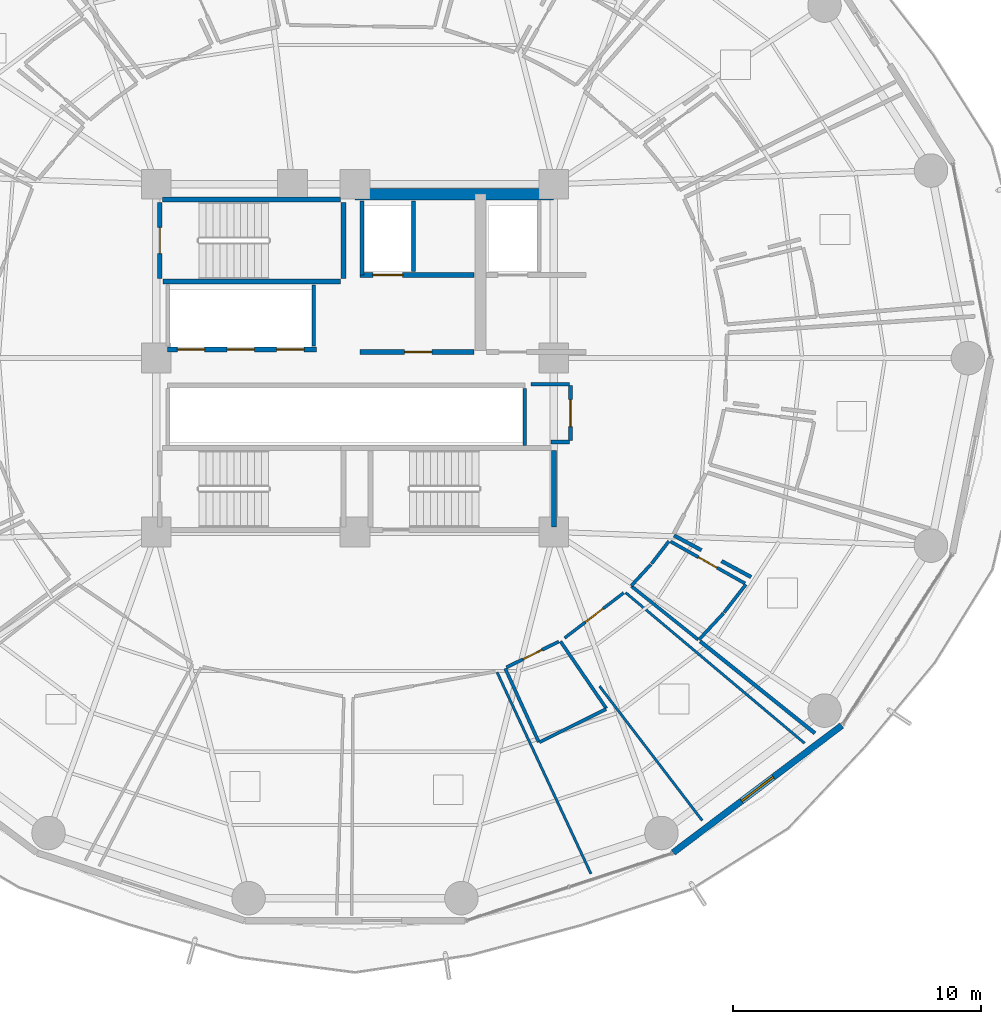
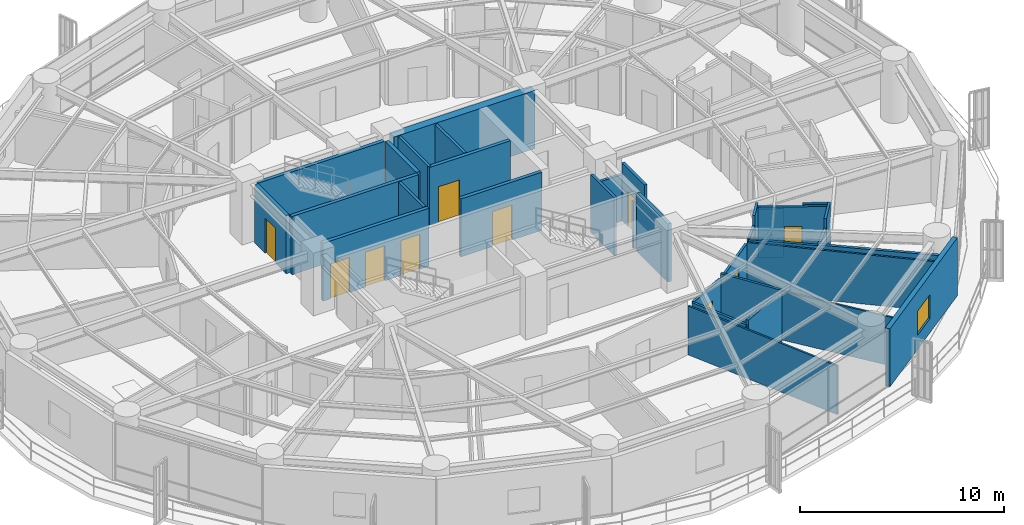
# One storey, part 30 of 38: 34 walls, 10 doors, 1 window, 11 openings.
"""IFC4 building model written with IfcOpenShell, lengths in metres."""

from ifc_helpers import new_model, si_unit, direction, frame, frame_2d, origin, place, context, subcontext, project, spatial, rectangle, extrude, material, layer, layer_set, type_object, element, fill, save


model = new_model("IFC4")

# Units and contexts
model_context = context("Model", 3, precision=1e-05, world=origin(), true_north=direction((0.0, 1.0)))
body_context = subcontext(model_context, "Body", "Model", "MODEL_VIEW")
ifc_project = project(units=[si_unit("LENGTHUNIT", "METRE"), si_unit("AREAUNIT", "SQUARE_METRE"), si_unit("VOLUMEUNIT", "CUBIC_METRE"), si_unit("PLANEANGLEUNIT", "RADIAN"), si_unit("MASSUNIT", "GRAM", prefix="KILO")], contexts=[model_context])

# Site, building, storey
site_placement = place(None, origin())
site = spatial("IfcSite", under=ifc_project, at=site_placement, CompositionType="ELEMENT")
building_placement = place(site_placement, origin())
building = spatial("IfcBuilding", under=site, at=building_placement, Name="Kelanora Arch Commons", CompositionType="ELEMENT")
storey_placement = place(building_placement, frame((0.0, 0.0, 106.35009765625)))
storey = spatial("IfcBuildingStorey", under=building, at=storey_placement, Name="L27", CompositionType="ELEMENT", Elevation=106.35009765625)

# Walls
ifc_material_1 = material(Name="Autoclaved aerated concrete blockwork with fire plaster", Category="masonry")
ifc_layer_1 = layer(ifc_material_1, 0.14990234375)
ifc_layer_set_1 = layer_set([ifc_layer_1], Name="Autoclaved aerated concrete blockwork with fire plaster")
wall_type_1 = type_object("IfcWallType", Name="W-COMP-150", PredefinedType="PARTITIONING", material=ifc_layer_set_1)
wall_1_placement = place(storey_placement, frame((74.280029296875, 61.35009765625, 0.0), z_axis=(0.0, 0.0, 1.0), x_axis=(0.0, 1.0, 0.0)))
element("IfcWall", 1, at=wall_1_placement, inside=storey, type_object=wall_type_1, Name="Firefighting Lift 1 West Shaft Wall L27", PredefinedType="PARTITIONING", context=body_context, shape_type="SweptSolid", body=[
    extrude(rectangle(XDim=2.969970703125, YDim=0.14990234375, at=frame_2d((1.48486328125, 0.0))), origin(), (0.0, 0.0, 1.0), 3.47998046875),
])
wall_2_placement = place(storey_placement, frame((76.360107421875, 61.47998046875, 0.0), z_axis=(0.0, 0.0, 1.0), x_axis=(0.0, 1.0, 0.0)))
element("IfcWall", 2, at=wall_2_placement, inside=storey, type_object=wall_type_1, Name="Firefighting Lift 1 East Shaft Wall L27", PredefinedType="PARTITIONING", context=body_context, shape_type="SweptSolid", body=[
    extrude(rectangle(XDim=2.840087890625, YDim=0.14990234375, at=frame_2d((1.419921875, 0.0))), origin(), (0.0, 0.0, 1.0), 3.47998046875),
])
wall_3_placement = place(storey_placement, frame((72.340087890625, 58.47998046875, 0.0), z_axis=(0.0, 0.0, 1.0), x_axis=(0.0, 1.0, 0.0)))
element("IfcWall", 3, at=wall_3_placement, inside=storey, type_object=wall_type_1, Name="Low-Rise Lift Bank East Wall L27", PredefinedType="PARTITIONING", context=body_context, shape_type="SweptSolid", body=[
    extrude(rectangle(XDim=2.4599609375, YDim=0.14990234375, at=frame_2d((1.22998046875, 0.0))), origin(), (0.0, 0.0, 1.0), 3.47998046875),
])
wall_4_placement = place(storey_placement, frame((80.840087890625, 54.47998046875, 0.0), z_axis=(0.0, 0.0, 1.0), x_axis=(0.0, 1.0, 0.0)))
element("IfcWall", 4, at=wall_4_placement, inside=storey, type_object=wall_type_1, Name="South Lift Bank East Wall L27", PredefinedType="PARTITIONING", context=body_context, shape_type="SweptSolid", body=[
    extrude(rectangle(XDim=2.2900390625, YDim=0.14990234375, at=frame_2d((1.14501953125, 0.0))), origin(), (0.0, 0.0, 1.0), 3.47998046875),
])

# Wall, opening, door
wall_5_placement = place(storey_placement, frame((82.679931640625, 54.679931640625, 0.0), z_axis=(0.0, 0.0, 1.0), x_axis=(0.0, 1.0, 0.0)))
wall_5 = element("IfcWall", 5, at=wall_5_placement, inside=storey, type_object=wall_type_1, Name="Core Housekeeping Store L27 Entry Partition", PredefinedType="PARTITIONING", context=body_context, shape_type="SweptSolid", body=[
    extrude(rectangle(XDim=2.2099609375, YDim=0.14990234375, at=frame_2d((1.10498046875, 0.0))), origin(), (0.0, 0.0, 1.0), 3.47998046875),
])
opening_1_placement = place(wall_5_placement, frame((0.56494140625, 0.0, 0.0)))
opening_1 = element("IfcOpeningElement", 6, at=opening_1_placement, cuts=wall_5, Name="Opening D-PLT1", PredefinedType="OPENING", context=body_context, shape_type="SweptSolid", body=[
    extrude(rectangle(XDim=1.080078125, YDim=2.10009765625, at=frame_2d((0.5400390625, 1.050048828125))), frame((0.0, 0.0849609375, 0.0), z_axis=(0.0, -1.0, 0.0), x_axis=(1.0, 0.0, 0.0)), (0.0, 0.0, 1.0), 0.169921875),
])
ifc_material_2 = material(Name="Galvanised steel plant and riser fire door", Category="steel")
door_type_1 = type_object("IfcDoorType", Name="D-PLT-110", OperationType="NOTDEFINED", PredefinedType="DOOR", material=ifc_material_2)
door_1_placement = place(opening_1_placement, origin())
door_1 = element("IfcDoor", 7, at=door_1_placement, inside=storey, type_object=door_type_1, Name="Core Housekeeping Store L27 Door", OperationType="SINGLE_SWING_LEFT", OverallHeight=2.10009765625, OverallWidth=1.080078125, PredefinedType="DOOR", context=body_context, shape_type="SweptSolid", body=[
    extrude(rectangle(XDim=1.080078125, YDim=2.10009765625, at=frame_2d((0.5400390625, 1.050048828125))), frame((0.0, 0.02490234375, 0.0), z_axis=(0.0, -1.0, 0.0), x_axis=(1.0, 0.0, 0.0)), (0.0, 0.0, 1.0), 0.050048828125),
])
fill(opening_1, door_1)

# Walls
wall_6_placement = place(storey_placement, frame((81.89990234375, 54.6201171875, 0.0), z_axis=(0.0, 0.0, 1.0), x_axis=(1.0, 0.0, 0.0)))
element("IfcWall", 8, at=wall_6_placement, inside=storey, type_object=wall_type_1, Name="Core Housekeeping Store L27 Enclosure Partition 1", PredefinedType="PARTITIONING", context=body_context, shape_type="SweptSolid", body=[
    extrude(rectangle(XDim=0.739990234375, YDim=0.14990234375, at=frame_2d((0.3701171875, 0.0))), origin(), (0.0, 0.0, 1.0), 2.77490234375),
])
wall_7_placement = place(storey_placement, frame((82.639892578125, 56.949951171875, 0.0), z_axis=(0.0, 0.0, 1.0), x_axis=(-1.0, 0.0, 0.0)))
element("IfcWall", 9, at=wall_7_placement, inside=storey, type_object=wall_type_1, Name="Core Housekeeping Store L27 Enclosure Partition 3", PredefinedType="PARTITIONING", context=body_context, shape_type="SweptSolid", body=[
    extrude(rectangle(XDim=1.5498046875, YDim=0.14990234375, at=frame_2d((0.77490234375, 0.0))), origin(), (0.0, 0.0, 1.0), 2.77490234375),
])
wall_8_placement = place(storey_placement, frame((92.518798828125, 42.89599609375, 0.0), z_axis=(0.0, 0.0, 1.0), x_axis=(-0.780422060226, 0.625253075093, 0.0)))
element("IfcWall", 10, at=wall_8_placement, inside=storey, type_object=wall_type_1, Name="Co-Living Studio L27-14 Enclosure Partition 5", PredefinedType="PARTITIONING", context=body_context, shape_type="SweptSolid", body=[
    extrude(rectangle(XDim=5.920654296875, YDim=0.14990234375, at=frame_2d((2.96044921875, 0.0))), origin(), (0.0, 0.0, 1.0), 2.974853515625),
])
wall_9_placement = place(storey_placement, frame((89.94873046875, 49.18505859375, 0.0), z_axis=(0.0, 0.0, 1.0), x_axis=(-0.879994582466, 0.474983720595, 0.0)))
element("IfcWall", 11, at=wall_9_placement, inside=storey, type_object=wall_type_1, Name="Co-Living Studio L27-14 Enclosure Partition 7", PredefinedType="PARTITIONING", context=body_context, shape_type="SweptSolid", body=[
    extrude(rectangle(XDim=1.350341796875, YDim=0.14990234375, at=frame_2d((0.67529296875, 0.0))), origin(), (0.0, 0.0, 1.0), 3.1748046875),
])
wall_10_placement = place(storey_placement, frame((87.95068359375, 50.263427734375, 0.0), z_axis=(0.0, 0.0, 1.0), x_axis=(-0.880026054437, 0.474925408367, 0.0)))
element("IfcWall", 12, at=wall_10_placement, inside=storey, type_object=wall_type_1, Name="Co-Living Studio L27-14 Enclosure Partition 7", PredefinedType="PARTITIONING", context=body_context, shape_type="SweptSolid", body=[
    extrude(rectangle(XDim=1.251708984375, YDim=0.14990234375, at=frame_2d((0.6259765625, 0.0))), origin(), (0.0, 0.0, 1.0), 2.9248046875),
])
ifc_material_3 = material(Name="Concrete C60/75", Category="concrete")
ifc_layer_2 = layer(ifc_material_3, 0.449951171875)
ifc_layer_set_2 = layer_set([ifc_layer_2], Name="Concrete C60/75")
wall_type_2 = type_object("IfcWallType", Name="W-CORE-450", PredefinedType="SHEAR", material=ifc_layer_set_2)
wall_11_placement = place(storey_placement, frame((74.0, 64.60009765625, 0.0), z_axis=(0.0, 0.0, 1.0), x_axis=(1.0, 0.0, 0.0)))
element("IfcWall", 13, at=wall_11_placement, inside=storey, type_object=wall_type_2, Name="Core Shear Spine L27-CN-E", PredefinedType="SHEAR", context=body_context, shape_type="SweptSolid", body=[
    extrude(rectangle(XDim=8.0, YDim=0.449951171875, at=frame_2d((4.0, 0.0))), origin(), (0.0, 0.0, 1.0), 3.489990234375),
])

# Wall, opening, window
ifc_material_4 = material(Name="Precast concrete C40/50 with terracotta rainscreen", Category="masonry")
ifc_layer_3 = layer(ifc_material_4, 0.260009765625)
ifc_layer_set_3 = layer_set([ifc_layer_3], Name="Precast concrete C40/50 with terracotta rainscreen")
wall_type_3 = type_object("IfcWallType", Name="W-EXT-TC", PredefinedType="SOLIDWALL", material=ifc_layer_set_3)
wall_12_placement = place(storey_placement, frame((86.81201171875, 38.09033203125, 0.0), z_axis=(0.0, 0.0, 1.0), x_axis=(0.798501507879, 0.601992808857, 0.0)))
wall_12 = element("IfcWall", 14, at=wall_12_placement, inside=storey, type_object=wall_type_3, Name="Terracotta Exterior Wall L27-B15", PredefinedType="SOLIDWALL", context=body_context, shape_type="SweptSolid", body=[
    extrude(rectangle(XDim=8.499267578125, YDim=0.260009765625, at=frame_2d((4.24951171875, 0.0))), origin(), (0.0, 0.0, 1.0), 3.474853515625),
])
opening_2_placement = place(wall_12_placement, frame((3.449951171875, 0.0, 0.85009765625)))
opening_2 = element("IfcOpeningElement", 15, at=opening_2_placement, cuts=wall_12, Name="Opening WN-01", PredefinedType="OPENING", context=body_context, shape_type="SweptSolid", body=[
    extrude(rectangle(XDim=1.60009765625, YDim=1.449951171875, at=frame_2d((0.800048828125, 0.72509765625))), frame((0.0, 0.14013671875, 0.0), z_axis=(0.0, -1.0, 0.0), x_axis=(1.0, 0.0, 0.0)), (0.0, 0.0, 1.0), 0.280029296875),
])
ifc_material_5 = material(Name="Terracotta-anodised aluminium frame with operable low-E glazing", Category="masonry")
window_type = type_object("IfcWindowType", Name="WIN-CL-18", PartitioningType="DOUBLE_PANEL_VERTICAL", PredefinedType="WINDOW", material=ifc_material_5)
window_placement = place(opening_2_placement, origin())
window = element("IfcWindow", 16, at=window_placement, inside=storey, type_object=window_type, Name="Co-Living Operable Window L27-B15", OverallHeight=1.449951171875, OverallWidth=1.60009765625, PartitioningType="SINGLE_PANEL", PredefinedType="WINDOW", context=body_context, shape_type="SweptSolid", body=[
    extrude(rectangle(XDim=1.60009765625, YDim=1.449951171875, at=frame_2d((0.800048828125, 0.72509765625))), frame((0.0, 0.030029296875, 0.0), z_axis=(0.0, -1.0, 0.0), x_axis=(1.0, 0.0, 0.0)), (0.0, 0.0, 1.0), 0.06005859375),
])
fill(opening_2, window)

# Wall, opening, door
ifc_material_6 = material(Name="Concrete C40/50", Category="concrete")
ifc_layer_4 = layer(ifc_material_6, 0.199951171875)
ifc_layer_set_4 = layer_set([ifc_layer_4], Name="Concrete C40/50")
wall_type_4 = type_object("IfcWallType", Name="W-FFL-200", PredefinedType="SOLIDWALL", material=ifc_layer_set_4)
wall_13_placement = place(storey_placement, frame((74.199951171875, 61.35009765625, 0.0), z_axis=(0.0, 0.0, 1.0), x_axis=(1.0, 0.0, 0.0)))
wall_13 = element("IfcWall", 17, at=wall_13_placement, inside=storey, type_object=wall_type_4, Name="Firefighting Lift 1 Shaft Front L27", PredefinedType="SOLIDWALL", context=body_context, shape_type="SweptSolid", body=[
    extrude(rectangle(XDim=4.60009765625, YDim=0.199951171875, at=frame_2d((2.300048828125, 0.0))), origin(), (0.0, 0.0, 1.0), 3.47998046875),
])
opening_3_placement = place(wall_13_placement, frame((0.52001953125, 0.0, 0.0)))
opening_3 = element("IfcOpeningElement", 18, at=opening_3_placement, cuts=wall_13, Name="Opening LD-FF", PredefinedType="OPENING", context=body_context, shape_type="SweptSolid", body=[
    extrude(rectangle(XDim=1.199951171875, YDim=2.14990234375, at=frame_2d((0.60009765625, 1.074951171875))), frame((0.0, 0.10986328125, 0.0), z_axis=(0.0, -1.0, 0.0), x_axis=(1.0, 0.0, 0.0)), (0.0, 0.0, 1.0), 0.219970703125),
])
ifc_material_7 = material(Name="Fire-rated firefighters lift sliding landing door")
door_type_2 = type_object("IfcDoorType", Name="D-LIFT-FF", OperationType="NOTDEFINED", PredefinedType="DOOR", material=ifc_material_7)
door_2_placement = place(opening_3_placement, origin())
door_2 = element("IfcDoor", 19, at=door_2_placement, inside=storey, type_object=door_type_2, Name="Firefighting Lift LF-FF1 Landing Door L27", OperationType="DOUBLE_DOOR_SLIDING", OverallHeight=2.14990234375, OverallWidth=1.199951171875, PredefinedType="DOOR", context=body_context, shape_type="SweptSolid", body=[
    extrude(rectangle(XDim=1.199951171875, YDim=2.14990234375, at=frame_2d((0.60009765625, 1.074951171875))), frame((0.0, 0.02490234375, 0.0), z_axis=(0.0, -1.0, 0.0), x_axis=(1.0, 0.0, 0.0)), (0.0, 0.0, 1.0), 0.050048828125),
])
fill(opening_3, door_2)

wall_14_placement = place(storey_placement, frame((74.199951171875, 58.25, 0.0), z_axis=(0.0, 0.0, 1.0), x_axis=(1.0, 0.0, 0.0)))
wall_14 = element("IfcWall", 20, at=wall_14_placement, inside=storey, type_object=wall_type_4, Name="Firefighting Lobby 1 Enclosure Wall L27", PredefinedType="SOLIDWALL", context=body_context, shape_type="SweptSolid", body=[
    extrude(rectangle(XDim=4.60009765625, YDim=0.199951171875, at=frame_2d((2.300048828125, 0.0))), origin(), (0.0, 0.0, 1.0), 3.47998046875),
])
opening_4_placement = place(wall_14_placement, frame((1.800048828125, 0.0, 0.0)))
opening_4 = element("IfcOpeningElement", 21, at=opening_4_placement, cuts=wall_14, Name="Opening D-FFL1", PredefinedType="OPENING", context=body_context, shape_type="SweptSolid", body=[
    extrude(rectangle(XDim=1.10009765625, YDim=2.10009765625, at=frame_2d((0.550048828125, 1.050048828125))), frame((0.0, 0.10986328125, 0.0), z_axis=(0.0, -1.0, 0.0), x_axis=(1.0, 0.0, 0.0)), (0.0, 0.0, 1.0), 0.219970703125),
])
ifc_material_8 = material(Name="Smoke-sealed firefighting lobby fire door")
door_type_3 = type_object("IfcDoorType", Name="D-FFL-110", OperationType="NOTDEFINED", PredefinedType="DOOR", material=ifc_material_8)
door_3_placement = place(opening_4_placement, frame((1.10009765625, 0.0, 0.0), z_axis=(0.0, 0.0, 1.0), x_axis=(-1.0, 0.0, 0.0)))
door_3 = element("IfcDoor", 22, at=door_3_placement, inside=storey, type_object=door_type_3, Name="Firefighting Lobby 1 Door L27", OperationType="SINGLE_SWING_LEFT", OverallHeight=2.10009765625, OverallWidth=1.10009765625, PredefinedType="DOOR", context=body_context, shape_type="SweptSolid", body=[
    extrude(rectangle(XDim=1.10009765625, YDim=2.10009765625, at=frame_2d((0.550048828125, 1.050048828125))), frame((0.0, 0.02490234375, 0.0), z_axis=(0.0, -1.0, 0.0), x_axis=(1.0, 0.0, 0.0)), (0.0, 0.0, 1.0), 0.050048828125),
])
fill(opening_4, door_3)

# Wall, openings, doors
wall_15_placement = place(storey_placement, frame((66.449951171875, 58.35009765625, 0.0), z_axis=(0.0, 0.0, 1.0), x_axis=(1.0, 0.0, 0.0)))
wall_15 = element("IfcWall", 23, at=wall_15_placement, inside=storey, type_object=wall_type_4, Name="Low-Rise Passenger Lift Shaft Front L27", PredefinedType="SOLIDWALL", context=body_context, shape_type="SweptSolid", body=[
    extrude(rectangle(XDim=6.0, YDim=0.199951171875, at=frame_2d((3.0, 0.0))), origin(), (0.0, 0.0, 1.0), 3.47998046875),
])
opening_5_placement = place(wall_15_placement, frame((0.39990234375, 0.0, 0.0)))
opening_5 = element("IfcOpeningElement", 24, at=opening_5_placement, cuts=wall_15, Name="Opening LD-01", PredefinedType="OPENING", context=body_context, shape_type="SweptSolid", body=[
    extrude(rectangle(XDim=1.10009765625, YDim=2.10009765625, at=frame_2d((0.550048828125, 1.050048828125))), frame((0.0, 0.10986328125, 0.0), z_axis=(0.0, -1.0, 0.0), x_axis=(1.0, 0.0, 0.0)), (0.0, 0.0, 1.0), 0.219970703125),
])
opening_6_placement = place(wall_15_placement, frame((2.39990234375, 0.0, 0.0)))
opening_6 = element("IfcOpeningElement", 25, at=opening_6_placement, cuts=wall_15, Name="Opening LD-01", PredefinedType="OPENING", context=body_context, shape_type="SweptSolid", body=[
    extrude(rectangle(XDim=1.10009765625, YDim=2.10009765625, at=frame_2d((0.550048828125, 1.050048828125))), frame((0.0, 0.10986328125, 0.0), z_axis=(0.0, -1.0, 0.0), x_axis=(1.0, 0.0, 0.0)), (0.0, 0.0, 1.0), 0.219970703125),
])
opening_7_placement = place(wall_15_placement, frame((4.39990234375, 0.0, 0.0)))
opening_7 = element("IfcOpeningElement", 26, at=opening_7_placement, cuts=wall_15, Name="Opening LD-01", PredefinedType="OPENING", context=body_context, shape_type="SweptSolid", body=[
    extrude(rectangle(XDim=1.10009765625, YDim=2.10009765625, at=frame_2d((0.550048828125, 1.050048828125))), frame((0.0, 0.10986328125, 0.0), z_axis=(0.0, -1.0, 0.0), x_axis=(1.0, 0.0, 0.0)), (0.0, 0.0, 1.0), 0.219970703125),
])
ifc_material_9 = material(Name="Stainless steel passenger lift sliding landing door", Category="steel")
door_type_4 = type_object("IfcDoorType", Name="D-LIFT-110", OperationType="NOTDEFINED", PredefinedType="DOOR", material=ifc_material_9)
door_4_placement = place(opening_5_placement, origin())
door_4 = element("IfcDoor", 27, at=door_4_placement, inside=storey, type_object=door_type_4, Name="Passenger Lift LF-P1 Landing Door L27", OperationType="DOUBLE_DOOR_SLIDING", OverallHeight=2.10009765625, OverallWidth=1.10009765625, PredefinedType="DOOR", context=body_context, shape_type="SweptSolid", body=[
    extrude(rectangle(XDim=1.10009765625, YDim=2.10009765625, at=frame_2d((0.550048828125, 1.050048828125))), frame((0.0, 0.02490234375, 0.0), z_axis=(0.0, -1.0, 0.0), x_axis=(1.0, 0.0, 0.0)), (0.0, 0.0, 1.0), 0.050048828125),
])
fill(opening_5, door_4)
door_5_placement = place(opening_6_placement, origin())
door_5 = element("IfcDoor", 28, at=door_5_placement, inside=storey, type_object=door_type_4, Name="Passenger Lift LF-P2 Landing Door L27", OperationType="DOUBLE_DOOR_SLIDING", OverallHeight=2.10009765625, OverallWidth=1.10009765625, PredefinedType="DOOR", context=body_context, shape_type="SweptSolid", body=[
    extrude(rectangle(XDim=1.10009765625, YDim=2.10009765625, at=frame_2d((0.550048828125, 1.050048828125))), frame((0.0, 0.02490234375, 0.0), z_axis=(0.0, -1.0, 0.0), x_axis=(1.0, 0.0, 0.0)), (0.0, 0.0, 1.0), 0.050048828125),
])
fill(opening_6, door_5)
door_6_placement = place(opening_7_placement, origin())
door_6 = element("IfcDoor", 29, at=door_6_placement, inside=storey, type_object=door_type_4, Name="Passenger Lift LF-P3 Landing Door L27", OperationType="DOUBLE_DOOR_SLIDING", OverallHeight=2.10009765625, OverallWidth=1.10009765625, PredefinedType="DOOR", context=body_context, shape_type="SweptSolid", body=[
    extrude(rectangle(XDim=1.10009765625, YDim=2.10009765625, at=frame_2d((0.550048828125, 1.050048828125))), frame((0.0, 0.02490234375, 0.0), z_axis=(0.0, -1.0, 0.0), x_axis=(1.0, 0.0, 0.0)), (0.0, 0.0, 1.0), 0.050048828125),
])
fill(opening_7, door_6)

# Walls
ifc_material_10 = material(Name="Lightweight fire-rated acoustic stud partition")
ifc_layer_5 = layer(ifc_material_10, 0.10009765625)
ifc_layer_set_5 = layer_set([ifc_layer_5], Name="Lightweight fire-rated acoustic stud partition")
wall_type_5 = type_object("IfcWallType", Name="W-PART-100", PredefinedType="PARTITIONING", material=ifc_layer_set_5)
wall_16_placement = place(storey_placement, frame((79.719970703125, 45.352783203125, 0.0), z_axis=(0.0, 0.0, 1.0), x_axis=(0.422225492456, -0.906490834769, 0.0)))
element("IfcWall", 30, at=wall_16_placement, inside=storey, type_object=wall_type_5, Name="Quiet Seminar Study Room L27-12 Enclosure Partition 2", PredefinedType="PARTITIONING", context=body_context, shape_type="SweptSolid", body=[
    extrude(rectangle(XDim=8.95263671875, YDim=0.10009765625, at=frame_2d((4.476318359375, 0.0))), origin(), (0.0, 0.0, 1.0), 2.9248046875),
])
wall_17_placement = place(storey_placement, frame((84.896484375, 48.55712890625, 0.0), z_axis=(0.0, 0.0, 1.0), x_axis=(0.765171343651, -0.64382669629, 0.0)))
element("IfcWall", 31, at=wall_17_placement, inside=storey, type_object=wall_type_5, Name="Tutorial Study Alcove L27-13 Enclosure Partition 2", PredefinedType="PARTITIONING", context=body_context, shape_type="SweptSolid", body=[
    extrude(rectangle(XDim=9.416015625, YDim=0.10009765625, at=frame_2d((4.7080078125, 0.0))), origin(), (0.0, 0.0, 1.0), 2.974853515625),
])
wall_18_placement = place(storey_placement, frame((87.979736328125, 39.3828125, 0.0), z_axis=(0.0, 0.0, 1.0), x_axis=(-0.607281003039, 0.794487119687, 0.0)))
element("IfcWall", 32, at=wall_18_placement, inside=storey, type_object=wall_type_5, Name="Tutorial Study Alcove L27-13 Enclosure Partition 4", PredefinedType="PARTITIONING", context=body_context, shape_type="SweptSolid", body=[
    extrude(rectangle(XDim=6.80615234375, YDim=0.10009765625, at=frame_2d((3.403076171875, 0.0))), origin(), (0.0, 0.0, 1.0), 2.9248046875),
])

# Wall, opening, door
ifc_material_11 = material(Name="Acoustic twin-stud fire-rated gypsum partition")
ifc_layer_6 = layer(ifc_material_11, 0.1201171875)
ifc_layer_set_6 = layer_set([ifc_layer_6], Name="Acoustic twin-stud fire-rated gypsum partition")
wall_type_6 = type_object("IfcWallType", Name="W-PART-120", PredefinedType="PARTITIONING", material=ifc_layer_set_6)
wall_19_placement = place(storey_placement, frame((82.439697265625, 46.7294921875, 0.0), z_axis=(0.0, 0.0, 1.0), x_axis=(0.794654066843, 0.607062528945, 0.0)))
wall_19 = element("IfcWall", 33, at=wall_19_placement, inside=storey, type_object=wall_type_6, Name="Tutorial Study Alcove L27-13 Entry Partition", PredefinedType="PARTITIONING", context=body_context, shape_type="SweptSolid", body=[
    extrude(rectangle(XDim=2.993408203125, YDim=0.1201171875, at=frame_2d((1.49658203125, 0.0))), origin(), (0.0, 0.0, 1.0), 2.9248046875),
])
opening_8_placement = place(wall_19_placement, frame((1.047119140625, 0.0, 0.0)))
opening_8 = element("IfcOpeningElement", 34, at=opening_8_placement, cuts=wall_19, Name="Opening D-RM1", PredefinedType="OPENING", context=body_context, shape_type="SweptSolid", body=[
    extrude(rectangle(XDim=0.89990234375, YDim=2.080078125, at=frame_2d((0.449951171875, 1.0400390625))), frame((0.0, 0.070068359375, 0.0), z_axis=(0.0, -1.0, 0.0), x_axis=(1.0, 0.0, 0.0)), (0.0, 0.0, 1.0), 0.14013671875),
])
ifc_material_12 = material(Name="Acoustic fire-rated timber study and lounge door", Category="wood")
door_type_5 = type_object("IfcDoorType", Name="D-ROOM-90", OperationType="NOTDEFINED", PredefinedType="DOOR", material=ifc_material_12)
door_7_placement = place(opening_8_placement, origin())
door_7 = element("IfcDoor", 35, at=door_7_placement, inside=storey, type_object=door_type_5, Name="Tutorial Study Alcove L27-13 Door", OperationType="SINGLE_SWING_LEFT", OverallHeight=2.080078125, OverallWidth=0.89990234375, PredefinedType="DOOR", context=body_context, shape_type="SweptSolid", body=[
    extrude(rectangle(XDim=0.89990234375, YDim=2.080078125, at=frame_2d((0.449951171875, 1.0400390625))), frame((0.0, 0.02490234375, 0.0), z_axis=(0.0, -1.0, 0.0), x_axis=(1.0, 0.0, 0.0)), (0.0, 0.0, 1.0), 0.050048828125),
])
fill(opening_8, door_7)

# Walls
ifc_layer_7 = layer(ifc_material_6, 0.199951171875)
ifc_layer_set_7 = layer_set([ifc_layer_7], Name="Concrete C40/50")
wall_type_7 = type_object("IfcWallType", Name="W-STAIR-200", PredefinedType="SHEAR", material=ifc_layer_set_7)
wall_20_placement = place(storey_placement, frame((66.260009765625, 61.080078125, 0.0), z_axis=(0.0, 0.0, 1.0), x_axis=(1.0, 0.0, 0.0)))
element("IfcWall", 36, at=wall_20_placement, inside=storey, type_object=wall_type_7, Name="Stair ST-T1 Shaft Wall S L27", PredefinedType="SHEAR", context=body_context, shape_type="SweptSolid", body=[
    extrude(rectangle(XDim=7.159912109375, YDim=0.199951171875, at=frame_2d((3.580078125, 0.0))), origin(), (0.0, 0.0, 1.0), 3.489990234375),
])
wall_21_placement = place(storey_placement, frame((73.5400390625, 61.199951171875, 0.0), z_axis=(0.0, 0.0, 1.0), x_axis=(0.0, 1.0, 0.0)))
element("IfcWall", 37, at=wall_21_placement, inside=storey, type_object=wall_type_7, Name="Stair ST-T1 Shaft Wall E L27", PredefinedType="SHEAR", context=body_context, shape_type="SweptSolid", body=[
    extrude(rectangle(XDim=3.070068359375, YDim=0.199951171875, at=frame_2d((1.53515625, 0.0))), origin(), (0.0, 0.0, 1.0), 3.489990234375),
])
wall_22_placement = place(storey_placement, frame((73.419921875, 64.389892578125, 0.0), z_axis=(0.0, 0.0, 1.0), x_axis=(-1.0, 0.0, 0.0)))
element("IfcWall", 38, at=wall_22_placement, inside=storey, type_object=wall_type_7, Name="Stair ST-T1 Shaft Wall N L27", PredefinedType="SHEAR", context=body_context, shape_type="SweptSolid", body=[
    extrude(rectangle(XDim=7.159912109375, YDim=0.199951171875, at=frame_2d((3.580078125, 0.0))), origin(), (0.0, 0.0, 1.0), 3.489990234375),
])

# Wall, opening, door
wall_23_placement = place(storey_placement, frame((66.139892578125, 64.27001953125, 0.0), z_axis=(0.0, 0.0, 1.0), x_axis=(0.0, -1.0, 0.0)))
wall_23 = element("IfcWall", 39, at=wall_23_placement, inside=storey, type_object=wall_type_7, Name="Stair ST-T1 Shaft Wall W L27", PredefinedType="SHEAR", context=body_context, shape_type="SweptSolid", body=[
    extrude(rectangle(XDim=3.070068359375, YDim=0.199951171875, at=frame_2d((1.53515625, 0.0))), origin(), (0.0, 0.0, 1.0), 3.489990234375),
])
opening_9_placement = place(wall_23_placement, frame((1.010009765625, 0.0, 0.0)))
opening_9 = element("IfcOpeningElement", 40, at=opening_9_placement, cuts=wall_23, Name="Opening D-ST1", PredefinedType="OPENING", context=body_context, shape_type="SweptSolid", body=[
    extrude(rectangle(XDim=1.050048828125, YDim=2.10009765625, at=frame_2d((0.52490234375, 1.050048828125))), frame((0.0, 0.10986328125, 0.0), z_axis=(0.0, -1.0, 0.0), x_axis=(1.0, 0.0, 0.0)), (0.0, 0.0, 1.0), 0.219970703125),
])
ifc_material_13 = material(Name="Steel fire-rated stairwell escape door", Category="steel")
door_type_6 = type_object("IfcDoorType", Name="D-STAIR-110", OperationType="NOTDEFINED", PredefinedType="DOOR", material=ifc_material_13)
door_8_placement = place(opening_9_placement, origin())
door_8 = element("IfcDoor", 41, at=door_8_placement, inside=storey, type_object=door_type_6, Name="Stair ST-T1 Escape Door L27", OperationType="SINGLE_SWING_LEFT", OverallHeight=2.10009765625, OverallWidth=1.050048828125, PredefinedType="DOOR", context=body_context, shape_type="SweptSolid", body=[
    extrude(rectangle(XDim=1.050048828125, YDim=2.10009765625, at=frame_2d((0.52490234375, 1.050048828125))), frame((0.0, 0.02490234375, 0.0), z_axis=(0.0, -1.0, 0.0), x_axis=(1.0, 0.0, 0.0)), (0.0, 0.0, 1.0), 0.050048828125),
])
fill(opening_9, door_8)

# Wall
wall_24_placement = place(storey_placement, frame((82.02001953125, 51.199951171875, 0.0), z_axis=(0.0, 0.0, 1.0), x_axis=(0.0, 1.0, 0.0)))
element("IfcWall", 42, at=wall_24_placement, inside=storey, type_object=wall_type_7, Name="Stair ST-T2 Shaft Wall E L27", PredefinedType="SHEAR", context=body_context, shape_type="SweptSolid", body=[
    extrude(rectangle(XDim=3.070068359375, YDim=0.199951171875, at=frame_2d((1.53515625, 0.0))), origin(), (0.0, 0.0, 1.0), 3.489990234375),
])

# Wall, opening, door
ifc_material_14 = material(Name="Moisture-resistant fire-rated cement-board plumbing wall")
ifc_layer_8 = layer(ifc_material_14, 0.1298828125)
ifc_layer_set_8 = layer_set([ifc_layer_8], Name="Moisture-resistant fire-rated cement-board plumbing wall")
wall_type_8 = type_object("IfcWallType", Name="W-WET-120", PredefinedType="PLUMBINGWALL", material=ifc_layer_set_8)
wall_25_placement = place(storey_placement, frame((80.0947265625, 45.54638671875, 0.0), z_axis=(0.0, 0.0, 1.0), x_axis=(0.897003770221, 0.442022891046, 0.0)))
wall_25 = element("IfcWall", 43, at=wall_25_placement, inside=storey, type_object=wall_type_8, Name="Accessible Shared Floor WC L27-13 Entry Partition", PredefinedType="PLUMBINGWALL", context=body_context, shape_type="SweptSolid", body=[
    extrude(rectangle(XDim=2.355224609375, YDim=0.1298828125, at=frame_2d((1.177734375, 0.0))), origin(), (0.0, 0.0, 1.0), 2.9248046875),
])
opening_10_placement = place(wall_25_placement, frame((0.7470703125, 0.0, 0.0)))
opening_10 = element("IfcOpeningElement", 44, at=opening_10_placement, cuts=wall_25, Name="Opening D-BT1", PredefinedType="OPENING", context=body_context, shape_type="SweptSolid", body=[
    extrude(rectangle(XDim=0.860107421875, YDim=2.050048828125, at=frame_2d((0.43017578125, 1.02490234375))), frame((0.0, 0.074951171875, 0.0), z_axis=(0.0, -1.0, 0.0), x_axis=(1.0, 0.0, 0.0)), (0.0, 0.0, 1.0), 0.14990234375),
])
ifc_material_15 = material(Name="Moisture-sealed fire-rated accessible bathroom door")
door_type_7 = type_object("IfcDoorType", Name="D-BATH-85", OperationType="NOTDEFINED", PredefinedType="DOOR", material=ifc_material_15)
door_9_placement = place(opening_10_placement, origin())
door_9 = element("IfcDoor", 45, at=door_9_placement, inside=storey, type_object=door_type_7, Name="Accessible Shared Floor WC L27-13 Door", OperationType="SINGLE_SWING_RIGHT", OverallHeight=2.050048828125, OverallWidth=0.860107421875, PredefinedType="DOOR", context=body_context, shape_type="SweptSolid", body=[
    extrude(rectangle(XDim=0.860107421875, YDim=2.050048828125, at=frame_2d((0.43017578125, 1.02490234375))), frame((0.0, 0.02490234375, 0.0), z_axis=(0.0, -1.0, 0.0), x_axis=(1.0, 0.0, 0.0)), (0.0, 0.0, 1.0), 0.050048828125),
])
fill(opening_10, door_9)

wall_26_placement = place(storey_placement, frame((86.706298828125, 50.615478515625, 0.0), z_axis=(0.0, 0.0, 1.0), x_axis=(0.871227933134, -0.490878690236, 0.0)))
wall_26 = element("IfcWall", 46, at=wall_26_placement, inside=storey, type_object=wall_type_8, Name="En-Suite Shower WC L27-14 Entry Partition", PredefinedType="PLUMBINGWALL", context=body_context, shape_type="SweptSolid", body=[
    extrude(rectangle(XDim=3.434814453125, YDim=0.1298828125, at=frame_2d((1.71728515625, 0.0))), origin(), (0.0, 0.0, 1.0), 3.23486328125),
])
opening_11_placement = place(wall_26_placement, frame((1.287109375, 0.0, 0.0)))
opening_11 = element("IfcOpeningElement", 47, at=opening_11_placement, cuts=wall_26, Name="Opening D-BT1", PredefinedType="OPENING", context=body_context, shape_type="SweptSolid", body=[
    extrude(rectangle(XDim=0.860107421875, YDim=2.050048828125, at=frame_2d((0.43017578125, 1.02490234375))), frame((0.0, 0.074951171875, 0.0), z_axis=(0.0, -1.0, 0.0), x_axis=(1.0, 0.0, 0.0)), (0.0, 0.0, 1.0), 0.14990234375),
])
door_10_placement = place(opening_11_placement, origin())
door_10 = element("IfcDoor", 48, at=door_10_placement, inside=storey, type_object=door_type_7, Name="En-Suite Shower WC L27-14 Door", OperationType="SINGLE_SWING_RIGHT", OverallHeight=2.050048828125, OverallWidth=0.860107421875, PredefinedType="DOOR", context=body_context, shape_type="SweptSolid", body=[
    extrude(rectangle(XDim=0.860107421875, YDim=2.050048828125, at=frame_2d((0.43017578125, 1.02490234375))), frame((0.0, 0.02490234375, 0.0), z_axis=(0.0, -1.0, 0.0), x_axis=(1.0, 0.0, 0.0)), (0.0, 0.0, 1.0), 0.050048828125),
])
fill(opening_11, door_10)

# Walls
wall_27_placement = place(storey_placement, frame((82.272216796875, 46.597412109375, 0.0), z_axis=(0.0, 0.0, 1.0), x_axis=(0.56421847533, -0.825625527764, 0.0)))
element("IfcWall", 49, at=wall_27_placement, inside=storey, type_object=wall_type_8, Name="Accessible Shared Floor WC L27-13 Enclosure Partition 2", PredefinedType="PLUMBINGWALL", context=body_context, shape_type="SweptSolid", body=[
    extrude(rectangle(XDim=3.2724609375, YDim=0.1298828125, at=frame_2d((1.63623046875, 0.0))), origin(), (0.0, 0.0, 1.0), 3.23486328125),
])
wall_28_placement = place(storey_placement, frame((84.112060546875, 43.8701171875, 0.0), z_axis=(0.0, 0.0, 1.0), x_axis=(-0.89496337821, -0.446139610059, 0.0)))
element("IfcWall", 50, at=wall_28_placement, inside=storey, type_object=wall_type_8, Name="Accessible Shared Floor WC L27-13 Enclosure Partition 3", PredefinedType="PLUMBINGWALL", context=body_context, shape_type="SweptSolid", body=[
    extrude(rectangle(XDim=3.00146484375, YDim=0.1298828125, at=frame_2d((1.500732421875, 0.0))), origin(), (0.0, 0.0, 1.0), 3.1748046875),
])
wall_29_placement = place(storey_placement, frame((81.399658203125, 42.540283203125, 0.0), z_axis=(0.0, 0.0, 1.0), x_axis=(-0.414882082756, 0.909875187819, 0.0)))
element("IfcWall", 51, at=wall_29_placement, inside=storey, type_object=wall_type_8, Name="Accessible Shared Floor WC L27-13 Enclosure Partition 4", PredefinedType="PLUMBINGWALL", context=body_context, shape_type="SweptSolid", body=[
    extrude(rectangle(XDim=3.254638671875, YDim=0.1298828125, at=frame_2d((1.62744140625, 0.0))), origin(), (0.0, 0.0, 1.0), 2.9248046875),
])
wall_30_placement = place(storey_placement, frame((85.130615234375, 48.841796875, 0.0), z_axis=(0.0, 0.0, 1.0), x_axis=(0.677595961293, 0.73543437045, 0.0)))
element("IfcWall", 52, at=wall_30_placement, inside=storey, type_object=wall_type_8, Name="En-Suite Shower WC L27-14 Enclosure Partition 1", PredefinedType="PLUMBINGWALL", context=body_context, shape_type="SweptSolid", body=[
    extrude(rectangle(XDim=1.156494140625, YDim=0.1298828125, at=frame_2d((0.578125, 0.0))), origin(), (0.0, 0.0, 1.0), 2.9248046875),
])
wall_31_placement = place(storey_placement, frame((85.940185546875, 49.722900390625, 0.0), z_axis=(0.0, 0.0, 1.0), x_axis=(0.61219897041, 0.790703750231, 0.0)))
element("IfcWall", 53, at=wall_31_placement, inside=storey, type_object=wall_type_8, Name="En-Suite Shower WC L27-14 Enclosure Partition 2", PredefinedType="PLUMBINGWALL", context=body_context, shape_type="SweptSolid", body=[
    extrude(rectangle(XDim=1.146240234375, YDim=0.1298828125, at=frame_2d((0.5732421875, 0.0))), origin(), (0.0, 0.0, 1.0), 3.47998046875),
])
wall_32_placement = place(storey_placement, frame((89.73876953125, 48.88427734375, 0.0), z_axis=(0.0, 0.0, 1.0), x_axis=(-0.614790089133, -0.788690779903, 0.0)))
element("IfcWall", 54, at=wall_32_placement, inside=storey, type_object=wall_type_8, Name="En-Suite Shower WC L27-14 Enclosure Partition 4", PredefinedType="PLUMBINGWALL", context=body_context, shape_type="SweptSolid", body=[
    extrude(rectangle(XDim=1.431884765625, YDim=0.1298828125, at=frame_2d((0.7158203125, 0.0))), origin(), (0.0, 0.0, 1.0), 3.47998046875),
])
wall_33_placement = place(storey_placement, frame((88.83251953125, 47.724365234375, 0.0), z_axis=(0.0, 0.0, 1.0), x_axis=(-0.679724752717, -0.733467286621, 0.0)))
element("IfcWall", 55, at=wall_33_placement, inside=storey, type_object=wall_type_8, Name="En-Suite Shower WC L27-14 Enclosure Partition 5", PredefinedType="PLUMBINGWALL", context=body_context, shape_type="SweptSolid", body=[
    extrude(rectangle(XDim=1.444580078125, YDim=0.1298828125, at=frame_2d((0.72216796875, 0.0))), origin(), (0.0, 0.0, 1.0), 2.9248046875),
])
wall_34_placement = place(storey_placement, frame((87.8212890625, 46.66259765625, 0.0), z_axis=(0.0, 0.0, 1.0), x_axis=(-0.780744298962, 0.624850653868, 0.0)))
element("IfcWall", 56, at=wall_34_placement, inside=storey, type_object=wall_type_8, Name="En-Suite Shower WC L27-14 Enclosure Partition 6", PredefinedType="PLUMBINGWALL", context=body_context, shape_type="SweptSolid", body=[
    extrude(rectangle(XDim=3.44384765625, YDim=0.1298828125, at=frame_2d((1.721923828125, 0.0))), origin(), (0.0, 0.0, 1.0), 2.9248046875),
])

save(model, "model.ifc")
